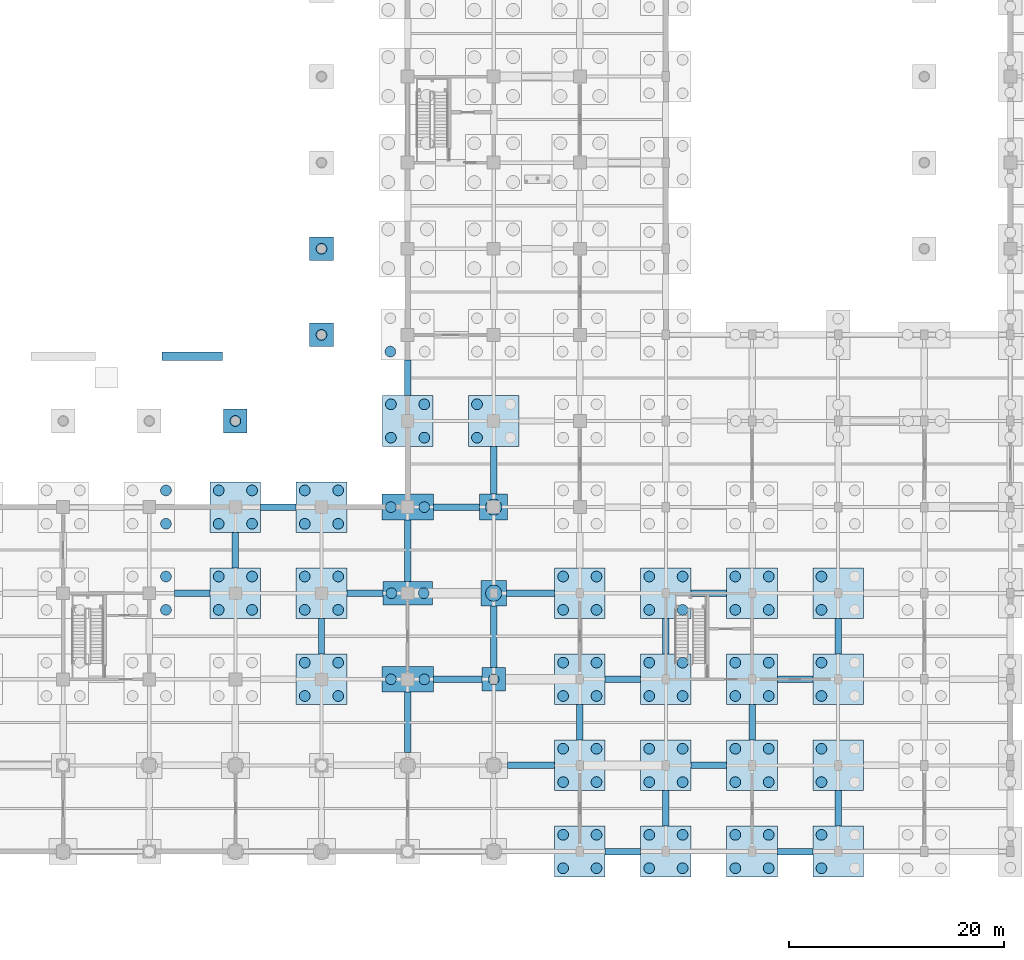
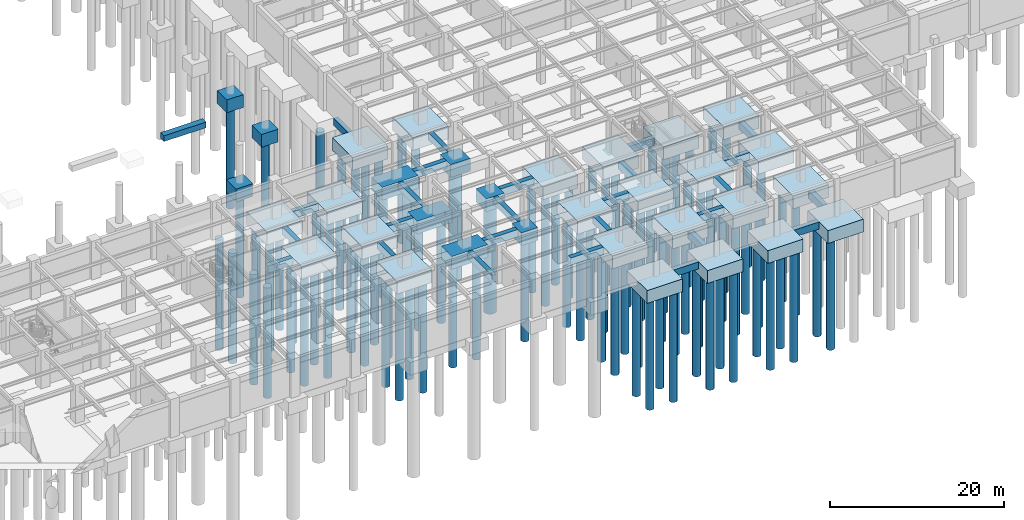
# One storey, part 8 of 97: 99 piles, 59 footings.
"""IFC4 building model written with IfcOpenShell, lengths in metres."""

from ifc_helpers import new_model, si_unit, direction, frame, origin, origin_2d, place, context, subcontext, project, spatial, rectangle, circle, extrude, material, layer, layer_set, material_profile, profile_set, type_object, element, save


model = new_model("IFC4")

# Units and contexts
model_context = context("Model", 3, precision=1e-05, world=origin(), true_north=direction((0.0, 1.0)))
body_context = subcontext(model_context, "Body", "Model", "MODEL_VIEW")
ifc_project = project(units=[si_unit("LENGTHUNIT", "METRE"), si_unit("AREAUNIT", "SQUARE_METRE"), si_unit("VOLUMEUNIT", "CUBIC_METRE"), si_unit("PLANEANGLEUNIT", "RADIAN"), si_unit("MASSUNIT", "GRAM", prefix="KILO")], contexts=[model_context])

# Site, building, storey
site_placement = place(None, origin())
site = spatial("IfcSite", under=ifc_project, at=site_placement, CompositionType="ELEMENT")
building_placement = place(site_placement, origin())
building = spatial("IfcBuilding", under=site, at=building_placement, Name="Haebicheon Civic Stadium", CompositionType="ELEMENT")
storey_placement = place(building_placement, frame((0.0, 0.0, -5.39990234375)))
storey = spatial("IfcBuildingStorey", under=building, at=storey_placement, Name="B1", CompositionType="ELEMENT", Elevation=-5.39990234375)

# Footings
ifc_material_1 = material(Name="Concrete C40/50", Category="concrete")
ifc_layer_1 = layer(ifc_material_1, 1.0, Name="Concrete C40/50")
ifc_layer_set_1 = layer_set([ifc_layer_1], Name="Concrete C40/50")
footing_type_1 = type_object("IfcFootingType", Name="FB-3300x600", PredefinedType="FOOTING_BEAM", material=ifc_layer_set_1)
for number, where, z_axis, x_axis, name in (
    (1, (124.0, 24.0, -1.0), (0.0, 0.0, 1.0), (1.0, 0.0, 0.0), "Ground tie beam X 15-03"),
    (2, (128.0, 28.0, -1.0), (0.0, 0.0, 1.0), (0.0, 1.0, 0.0), "Ground tie beam Y 16-03"),
    (3, (132.0, 32.0, -1.0), (0.0, 0.0, 1.0), (1.0, 0.0, 0.0), "Ground tie beam X 16-04"),
    (4, (136.0, 20.0, -1.0), (0.0, 0.0, 1.0), (0.0, 1.0, 0.0), "Ground tie beam Y 17-02"),
    (5, (144.0, 44.0, -1.0), (0.0, 0.0, 1.0), (0.0, 1.0, 0.0), "Ground tie beam Y 18-05"),
    (6, (164.0, 0.0, -1.0), (0.0, 0.0, 1.0), (1.0, 0.0, 0.0), "Ground tie beam X 20-00"),
    (7, (160.0, 12.0, -1.0), (0.0, 0.0, 1.0), (0.0, 1.0, 0.0), "Ground tie beam Y 20-01"),
    (8, (164.0, 16.0, -1.0), (0.0, 0.0, 1.0), (1.0, 0.0, 0.0), "Ground tie beam X 20-02"),
    (9, (168.0, 4.0, -1.0), (0.0, 0.0, 1.0), (0.0, 1.0, 0.0), "Ground tie beam Y 21-00"),
    (10, (172.0, 8.0, -1.0), (0.0, 0.0, 1.0), (1.0, 0.0, 0.0), "Ground tie beam X 21-01"),
    (11, (168.0, 20.0, -1.0), (0.0, 0.0, 1.0), (0.0, 1.0, 0.0), "Ground tie beam Y 21-02"),
    (12, (172.0, 24.0, -1.0), (0.0, 0.0, 1.0), (1.0, 0.0, 0.0), "Ground tie beam X 21-03"),
    (13, (180.0, 0.0, -1.0), (0.0, 0.0, 1.0), (1.0, 0.0, 0.0), "Ground tie beam X 22-00"),
    (14, (176.0, 12.0, -1.0), (0.0, 0.0, 1.0), (0.0, 1.0, 0.0), "Ground tie beam Y 22-01"),
    (15, (180.0, 16.0, -1.0), (0.0, 0.0, 1.0), (1.0, 0.0, 0.0), "Ground tie beam X 22-02"),
    (16, (184.0, 4.0, -1.0), (0.0, 0.0, 1.0), (0.0, 1.0, 0.0), "Ground tie beam Y 23-00"),
    (17, (184.0, 20.0, -1.0), (0.0, 0.0, 1.0), (0.0, 1.0, 0.0), "Ground tie beam Y 23-02"),
):
    element("IfcFooting", number, at=place(storey_placement, frame(where, z_axis=z_axis, x_axis=x_axis)), inside=storey, type_object=footing_type_1, material=ifc_layer_set_1, Name=name, PredefinedType="FOOTING_BEAM", context=body_context, shape_type="SweptSolid", body=[
        extrude(rectangle(XDim=3.300048828125, YDim=0.60009765625, at=origin_2d()), origin(), (0.0, 0.0, 1.0), 1.0),
    ])
ifc_material_2 = material(Name="Concrete C40/50", Category="concrete")
ifc_layer_2 = layer(ifc_material_2, 1.0, Name="Concrete C40/50")
ifc_layer_set_2 = layer_set([ifc_layer_2], Name="Concrete C40/50")
footing_type_2 = type_object("IfcFootingType", Name="FB-3350x600", PredefinedType="FOOTING_BEAM", material=ifc_layer_set_2)
footing_1_placement = place(storey_placement, frame((140.02490234375, 24.0, -1.0), z_axis=(0.0, 0.0, 1.0), x_axis=(1.0, 0.0, 0.0)))
element("IfcFooting", 18, at=footing_1_placement, inside=storey, type_object=footing_type_2, material=ifc_layer_set_2, Name="Ground tie beam X 17-03", PredefinedType="FOOTING_BEAM", context=body_context, shape_type="SweptSolid", body=[
    extrude(rectangle(XDim=3.35009765625, YDim=0.60009765625, at=origin_2d()), origin(), (0.0, 0.0, 1.0), 1.0),
])
ifc_material_3 = material(Name="Concrete C40/50", Category="concrete")
ifc_layer_3 = layer(ifc_material_3, 1.0, Name="Concrete C40/50")
ifc_layer_set_3 = layer_set([ifc_layer_3], Name="Concrete C40/50")
footing_type_3 = type_object("IfcFootingType", Name="FB-4300x600", PredefinedType="FOOTING_BEAM", material=ifc_layer_set_3)
footing_2_placement = place(storey_placement, frame((148.550048828125, 32.0, -1.0), z_axis=(0.0, 0.0, 1.0), x_axis=(1.0, 0.0, 0.0)))
element("IfcFooting", 19, at=footing_2_placement, inside=storey, type_object=footing_type_3, material=ifc_layer_set_3, Name="Ground tie beam X 18-04", PredefinedType="FOOTING_BEAM", context=body_context, shape_type="SweptSolid", body=[
    extrude(rectangle(XDim=4.300048828125, YDim=0.60009765625, at=origin_2d()), origin(), (0.0, 0.0, 1.0), 1.0),
])
ifc_material_4 = material(Name="Concrete C40/50", Category="concrete")
ifc_layer_4 = layer(ifc_material_4, 1.0, Name="Concrete C40/50")
ifc_layer_set_4 = layer_set([ifc_layer_4], Name="Concrete C40/50")
footing_type_4 = type_object("IfcFootingType", Name="FB-4350x600", PredefinedType="FOOTING_BEAM", material=ifc_layer_set_4)
footing_3_placement = place(storey_placement, frame((155.47509765625, 8.0, -1.0), z_axis=(0.0, 0.0, 1.0), x_axis=(1.0, 0.0, 0.0)))
element("IfcFooting", 20, at=footing_3_placement, inside=storey, type_object=footing_type_4, material=ifc_layer_set_4, Name="Ground tie beam X 19-01", PredefinedType="FOOTING_BEAM", context=body_context, shape_type="SweptSolid", body=[
    extrude(rectangle(XDim=4.35009765625, YDim=0.60009765625, at=origin_2d()), origin(), (0.0, 0.0, 1.0), 1.0),
])
ifc_material_5 = material(Name="Concrete C40/50", Category="concrete")
ifc_layer_5 = layer(ifc_material_5, 1.0, Name="Concrete C40/50")
ifc_layer_set_5 = layer_set([ifc_layer_5], Name="Concrete C40/50")
footing_type_5 = type_object("IfcFootingType", Name="FB-4450x600", PredefinedType="FOOTING_BEAM", material=ifc_layer_set_5)
for number, where, z_axis, x_axis, name in (
    (21, (155.425048828125, 24.0, -1.0), (0.0, 0.0, 1.0), (1.0, 0.0, 0.0), "Ground tie beam X 19-03"),
    (22, (152.0, 35.425048828125, -1.0), (0.0, 0.0, 1.0), (0.0, 1.0, 0.0), "Ground tie beam Y 19-04"),
):
    element("IfcFooting", number, at=place(storey_placement, frame(where, z_axis=z_axis, x_axis=x_axis)), inside=storey, type_object=footing_type_5, material=ifc_layer_set_5, Name=name, PredefinedType="FOOTING_BEAM", context=body_context, shape_type="SweptSolid", body=[
        extrude(rectangle(XDim=4.449951171875, YDim=0.60009765625, at=origin_2d()), origin(), (0.0, 0.0, 1.0), 1.0),
    ])
ifc_material_6 = material(Name="Concrete C40/50", Category="concrete")
ifc_layer_6 = layer(ifc_material_6, 1.0, Name="Concrete C40/50")
ifc_layer_set_6 = layer_set([ifc_layer_6], Name="Concrete C40/50")
footing_type_6 = type_object("IfcFootingType", Name="FB-4500x600", PredefinedType="FOOTING_BEAM", material=ifc_layer_set_6)
footing_4_placement = place(storey_placement, frame((148.64990234375, 16.0, -1.0), z_axis=(0.0, 0.0, 1.0), x_axis=(1.0, 0.0, 0.0)))
element("IfcFooting", 23, at=footing_4_placement, inside=storey, type_object=footing_type_6, material=ifc_layer_set_6, Name="Ground tie beam X 18-02", PredefinedType="FOOTING_BEAM", context=body_context, shape_type="SweptSolid", body=[
    extrude(rectangle(XDim=4.5, YDim=0.60009765625, at=origin_2d()), origin(), (0.0, 0.0, 1.0), 1.0),
])
ifc_material_7 = material(Name="Concrete C40/50", Category="concrete")
ifc_layer_7 = layer(ifc_material_7, 1.0, Name="Concrete C40/50")
ifc_layer_set_7 = layer_set([ifc_layer_7], Name="Concrete C40/50")
footing_type_7 = type_object("IfcFootingType", Name="FB-5600x600", PredefinedType="FOOTING_BEAM", material=ifc_layer_set_7)
footing_5_placement = place(storey_placement, frame((144.0, 12.0, -1.0), z_axis=(0.0, 0.0, 1.0), x_axis=(0.0, 1.0, 0.0)))
element("IfcFooting", 24, at=footing_5_placement, inside=storey, type_object=footing_type_7, material=ifc_layer_set_7, Name="Ground tie beam Y 18-01", PredefinedType="FOOTING_BEAM", context=body_context, shape_type="SweptSolid", body=[
    extrude(rectangle(XDim=5.60009765625, YDim=0.60009765625, at=origin_2d()), origin(), (0.0, 0.0, 1.0), 1.0),
])
ifc_material_8 = material(Name="Concrete C40/50", Category="concrete")
ifc_layer_8 = layer(ifc_material_8, 1.0, Name="Concrete C40/50")
ifc_layer_set_8 = layer_set([ifc_layer_8], Name="Concrete C40/50")
footing_type_8 = type_object("IfcFootingType", Name="FB-5700x600", PredefinedType="FOOTING_BEAM", material=ifc_layer_set_8)
for number, where, z_axis, x_axis, name in (
    (25, (144.0, 27.949951171875, -1.0), (0.0, 0.0, 1.0), (0.0, 1.0, 0.0), "Ground tie beam Y 18-03"),
    (26, (152.0, 19.949951171875, -1.0), (0.0, 0.0, 1.0), (0.0, 1.0, 0.0), "Ground tie beam Y 19-02"),
):
    element("IfcFooting", number, at=place(storey_placement, frame(where, z_axis=z_axis, x_axis=x_axis)), inside=storey, type_object=footing_type_8, material=ifc_layer_set_8, Name=name, PredefinedType="FOOTING_BEAM", context=body_context, shape_type="SweptSolid", body=[
        extrude(rectangle(XDim=5.699951171875, YDim=0.60009765625, at=origin_2d()), origin(), (0.0, 0.0, 1.0), 1.0),
    ])
ifc_material_9 = material(Name="Concrete C40/50", Category="concrete")
ifc_layer_9 = layer(ifc_material_9, 1.800048828125, Name="Concrete C40/50")
ifc_layer_set_9 = layer_set([ifc_layer_9], Name="Concrete C40/50")
footing_type_9 = type_object("IfcFootingType", Name="PC-1P-2200", PredefinedType="PILE_CAP", material=ifc_layer_set_9)
for number, where, z_axis, x_axis, name in (
    (27, (152.0, 16.0, -1.80029296875), (0.0, 0.0, 1.0), (1.0, 0.0, 0.0), "Pile cap FT-PC-19-02"),
    (28, (136.0, 48.0, -1.80029296875), (0.0, 0.0, 1.0), (1.0, 0.0, 0.0), "Bowl pier pile cap FT-BPC-013"),
    (29, (136.0, 56.0, -1.80029296875), (0.0, 0.0, 1.0), (1.0, 0.0, 0.0), "Bowl pier pile cap FT-BPC-014"),
    (30, (128.0, 40.0, -1.80029296875), (0.0, 0.0, 1.0), (1.0, 0.0, 0.0), "Bowl pier pile cap FT-BPC-038"),
):
    element("IfcFooting", number, at=place(storey_placement, frame(where, z_axis=z_axis, x_axis=x_axis)), inside=storey, type_object=footing_type_9, material=ifc_layer_set_9, Name=name, PredefinedType="PILE_CAP", context=body_context, shape_type="SweptSolid", body=[
        extrude(rectangle(XDim=2.199951171875, YDim=2.199951171875, at=origin_2d()), origin(), (0.0, 0.0, 1.0), 1.800048828125),
    ])
ifc_material_10 = material(Name="Concrete C40/50", Category="concrete")
ifc_layer_10 = layer(ifc_material_10, 1.800048828125, Name="Concrete C40/50")
ifc_layer_set_10 = layer_set([ifc_layer_10], Name="Concrete C40/50")
footing_type_10 = type_object("IfcFootingType", Name="PC-1P-2400", PredefinedType="PILE_CAP", material=ifc_layer_set_10)
footing_6_placement = place(storey_placement, frame((152.0, 24.0, -1.80029296875), z_axis=(0.0, 0.0, 1.0), x_axis=(1.0, 0.0, 0.0)))
element("IfcFooting", 31, at=footing_6_placement, inside=storey, type_object=footing_type_10, material=ifc_layer_set_10, Name="Pile cap FT-PC-19-03", PredefinedType="PILE_CAP", context=body_context, shape_type="SweptSolid", body=[
    extrude(rectangle(XDim=2.39990234375, YDim=2.39990234375, at=origin_2d()), origin(), (0.0, 0.0, 1.0), 1.800048828125),
])
ifc_material_11 = material(Name="Concrete C40/50", Category="concrete")
ifc_layer_11 = layer(ifc_material_11, 1.800048828125, Name="Concrete C40/50")
ifc_layer_set_11 = layer_set([ifc_layer_11], Name="Concrete C40/50")
footing_type_11 = type_object("IfcFootingType", Name="PC-1P-2600", PredefinedType="PILE_CAP", material=ifc_layer_set_11)
footing_7_placement = place(storey_placement, frame((152.0, 32.0, -1.80029296875), z_axis=(0.0, 0.0, 1.0), x_axis=(1.0, 0.0, 0.0)))
element("IfcFooting", 32, at=footing_7_placement, inside=storey, type_object=footing_type_11, material=ifc_layer_set_11, Name="Pile cap FT-PC-19-04", PredefinedType="PILE_CAP", context=body_context, shape_type="SweptSolid", body=[
    extrude(rectangle(XDim=2.60009765625, YDim=2.39990234375, at=origin_2d()), origin(), (0.0, 0.0, 1.0), 1.800048828125),
])
ifc_material_12 = material(Name="Concrete C40/50", Category="concrete")
ifc_layer_12 = layer(ifc_material_12, 1.800048828125, Name="Concrete C40/50")
ifc_layer_set_12 = layer_set([ifc_layer_12], Name="Concrete C40/50")
footing_type_12 = type_object("IfcFootingType", Name="PC-2P-4600", PredefinedType="PILE_CAP", material=ifc_layer_set_12)
footing_8_placement = place(storey_placement, frame((144.0, 24.0, -1.80029296875), z_axis=(0.0, 0.0, 1.0), x_axis=(1.0, 0.0, 0.0)))
element("IfcFooting", 33, at=footing_8_placement, inside=storey, type_object=footing_type_12, material=ifc_layer_set_12, Name="Pile cap FT-PC-18-03", PredefinedType="PILE_CAP", context=body_context, shape_type="SweptSolid", body=[
    extrude(rectangle(XDim=4.60009765625, YDim=2.199951171875, at=origin_2d()), origin(), (0.0, 0.0, 1.0), 1.800048828125),
])
ifc_material_13 = material(Name="Concrete C40/50", Category="concrete")
ifc_layer_13 = layer(ifc_material_13, 1.800048828125, Name="Concrete C40/50")
ifc_layer_set_13 = layer_set([ifc_layer_13], Name="Concrete C40/50")
footing_type_13 = type_object("IfcFootingType", Name="PC-2P-4800", PredefinedType="PILE_CAP", material=ifc_layer_set_13)
for number, where, z_axis, x_axis, name in (
    (34, (144.0, 16.0, -1.80029296875), (0.0, 0.0, 1.0), (1.0, 0.0, 0.0), "Pile cap FT-PC-18-02"),
    (35, (144.0, 32.0, -1.80029296875), (0.0, 0.0, 1.0), (1.0, 0.0, 0.0), "Pile cap FT-PC-18-04"),
):
    element("IfcFooting", number, at=place(storey_placement, frame(where, z_axis=z_axis, x_axis=x_axis)), inside=storey, type_object=footing_type_13, material=ifc_layer_set_13, Name=name, PredefinedType="PILE_CAP", context=body_context, shape_type="SweptSolid", body=[
        extrude(rectangle(XDim=4.800048828125, YDim=2.39990234375, at=origin_2d()), origin(), (0.0, 0.0, 1.0), 1.800048828125),
    ])
ifc_material_14 = material(Name="Concrete C40/50", Category="concrete")
ifc_layer_14 = layer(ifc_material_14, 1.800048828125, Name="Concrete C40/50")
ifc_layer_set_14 = layer_set([ifc_layer_14], Name="Concrete C40/50")
footing_type_14 = type_object("IfcFootingType", Name="PC-4P-4700", PredefinedType="PILE_CAP", material=ifc_layer_set_14)
for number, where, z_axis, x_axis, name in (
    (36, (128.0, 24.0, -1.80029296875), (0.0, 0.0, 1.0), (1.0, 0.0, 0.0), "Pile cap FT-PC-16-03"),
    (37, (128.0, 32.0, -1.80029296875), (0.0, 0.0, 1.0), (1.0, 0.0, 0.0), "Pile cap FT-PC-16-04"),
    (38, (136.0, 16.0, -1.80029296875), (0.0, 0.0, 1.0), (1.0, 0.0, 0.0), "Pile cap FT-PC-17-02"),
    (39, (136.0, 24.0, -1.80029296875), (0.0, 0.0, 1.0), (1.0, 0.0, 0.0), "Pile cap FT-PC-17-03"),
    (40, (136.0, 32.0, -1.80029296875), (0.0, 0.0, 1.0), (1.0, 0.0, 0.0), "Pile cap FT-PC-17-04"),
    (41, (144.0, 40.0, -1.80029296875), (0.0, 0.0, 1.0), (1.0, 0.0, 0.0), "Pile cap FT-PC-18-05"),
    (42, (152.0, 40.0, -1.80029296875), (0.0, 0.0, 1.0), (1.0, 0.0, 0.0), "Pile cap FT-PC-19-05"),
    (43, (160.0, 0.0, -1.80029296875), (0.0, 0.0, 1.0), (1.0, 0.0, 0.0), "Pile cap FT-PC-20-00"),
    (44, (160.0, 8.0, -1.80029296875), (0.0, 0.0, 1.0), (1.0, 0.0, 0.0), "Pile cap FT-PC-20-01"),
    (45, (160.0, 16.0, -1.80029296875), (0.0, 0.0, 1.0), (1.0, 0.0, 0.0), "Pile cap FT-PC-20-02"),
    (46, (160.0, 24.0, -1.80029296875), (0.0, 0.0, 1.0), (1.0, 0.0, 0.0), "Pile cap FT-PC-20-03"),
    (47, (168.0, 0.0, -1.80029296875), (0.0, 0.0, 1.0), (1.0, 0.0, 0.0), "Pile cap FT-PC-21-00"),
    (48, (168.0, 8.0, -1.80029296875), (0.0, 0.0, 1.0), (1.0, 0.0, 0.0), "Pile cap FT-PC-21-01"),
    (49, (168.0, 16.0, -1.80029296875), (0.0, 0.0, 1.0), (1.0, 0.0, 0.0), "Pile cap FT-PC-21-02"),
    (50, (168.0, 24.0, -1.80029296875), (0.0, 0.0, 1.0), (1.0, 0.0, 0.0), "Pile cap FT-PC-21-03"),
    (51, (176.0, 0.0, -1.80029296875), (0.0, 0.0, 1.0), (1.0, 0.0, 0.0), "Pile cap FT-PC-22-00"),
    (52, (176.0, 8.0, -1.80029296875), (0.0, 0.0, 1.0), (1.0, 0.0, 0.0), "Pile cap FT-PC-22-01"),
    (53, (176.0, 16.0, -1.80029296875), (0.0, 0.0, 1.0), (1.0, 0.0, 0.0), "Pile cap FT-PC-22-02"),
    (54, (176.0, 24.0, -1.80029296875), (0.0, 0.0, 1.0), (1.0, 0.0, 0.0), "Pile cap FT-PC-22-03"),
    (55, (184.0, 0.0, -1.80029296875), (0.0, 0.0, 1.0), (1.0, 0.0, 0.0), "Pile cap FT-PC-23-00"),
    (56, (184.0, 8.0, -1.80029296875), (0.0, 0.0, 1.0), (1.0, 0.0, 0.0), "Pile cap FT-PC-23-01"),
    (57, (184.0, 16.0, -1.80029296875), (0.0, 0.0, 1.0), (1.0, 0.0, 0.0), "Pile cap FT-PC-23-02"),
    (58, (184.0, 24.0, -1.80029296875), (0.0, 0.0, 1.0), (1.0, 0.0, 0.0), "Pile cap FT-PC-23-03"),
):
    element("IfcFooting", number, at=place(storey_placement, frame(where, z_axis=z_axis, x_axis=x_axis)), inside=storey, type_object=footing_type_14, material=ifc_layer_set_14, Name=name, PredefinedType="PILE_CAP", context=body_context, shape_type="SweptSolid", body=[
        extrude(rectangle(XDim=4.699951171875, YDim=4.699951171875, at=origin_2d()), origin(), (0.0, 0.0, 1.0), 1.800048828125),
    ])

# Piles
ifc_material_15 = material(Name="Concrete C40/50", Category="concrete")
ifc_material_profile_1 = material_profile(ifc_material_15, circle(Radius=0.5, at=origin_2d()), Name="PILE-D1000")
ifc_profile_set_1 = profile_set([ifc_material_profile_1], Name="Concrete C40/50")
pile_type_1 = type_object("IfcPileType", Name="PL-D1000", PredefinedType="BORED", material=ifc_profile_set_1)
for number, where, z_axis, x_axis, name in (
    (59, (121.550048828125, 22.449951171875, -1.7001953125), (0.0, 0.0, -1.0), (1.0, 0.0, 0.0), "Bored pile 15-03-2"),
    (60, (121.550048828125, 25.550048828125, -1.7001953125), (0.0, 0.0, -1.0), (1.0, 0.0, 0.0), "Bored pile 15-03-4"),
    (61, (121.550048828125, 30.449951171875, -1.7001953125), (0.0, 0.0, -1.0), (1.0, 0.0, 0.0), "Bored pile 15-04-2"),
    (62, (121.550048828125, 33.550048828125, -1.7001953125), (0.0, 0.0, -1.0), (1.0, 0.0, 0.0), "Bored pile 15-04-4"),
    (63, (126.449951171875, 22.449951171875, -1.7001953125), (0.0, 0.0, -1.0), (1.0, 0.0, 0.0), "Bored pile 16-03-1"),
    (64, (129.550048828125, 22.449951171875, -1.7001953125), (0.0, 0.0, -1.0), (1.0, 0.0, 0.0), "Bored pile 16-03-2"),
    (65, (126.449951171875, 25.550048828125, -1.7001953125), (0.0, 0.0, -1.0), (1.0, 0.0, 0.0), "Bored pile 16-03-3"),
    (66, (129.550048828125, 25.550048828125, -1.7001953125), (0.0, 0.0, -1.0), (1.0, 0.0, 0.0), "Bored pile 16-03-4"),
    (67, (126.449951171875, 30.449951171875, -1.7001953125), (0.0, 0.0, -1.0), (1.0, 0.0, 0.0), "Bored pile 16-04-1"),
    (68, (129.550048828125, 30.449951171875, -1.7001953125), (0.0, 0.0, -1.0), (1.0, 0.0, 0.0), "Bored pile 16-04-2"),
    (69, (126.449951171875, 33.550048828125, -1.7001953125), (0.0, 0.0, -1.0), (1.0, 0.0, 0.0), "Bored pile 16-04-3"),
    (70, (129.550048828125, 33.550048828125, -1.7001953125), (0.0, 0.0, -1.0), (1.0, 0.0, 0.0), "Bored pile 16-04-4"),
    (71, (134.449951171875, 14.449951171875, -1.7001953125), (0.0, 0.0, -1.0), (1.0, 0.0, 0.0), "Bored pile 17-02-1"),
    (72, (137.550048828125, 14.449951171875, -1.7001953125), (0.0, 0.0, -1.0), (1.0, 0.0, 0.0), "Bored pile 17-02-2"),
    (73, (134.449951171875, 17.550048828125, -1.7001953125), (0.0, 0.0, -1.0), (1.0, 0.0, 0.0), "Bored pile 17-02-3"),
    (74, (137.550048828125, 17.550048828125, -1.7001953125), (0.0, 0.0, -1.0), (1.0, 0.0, 0.0), "Bored pile 17-02-4"),
    (75, (134.449951171875, 22.449951171875, -1.7001953125), (0.0, 0.0, -1.0), (1.0, 0.0, 0.0), "Bored pile 17-03-1"),
    (76, (137.550048828125, 22.449951171875, -1.7001953125), (0.0, 0.0, -1.0), (1.0, 0.0, 0.0), "Bored pile 17-03-2"),
    (77, (134.449951171875, 25.550048828125, -1.7001953125), (0.0, 0.0, -1.0), (1.0, 0.0, 0.0), "Bored pile 17-03-3"),
    (78, (137.550048828125, 25.550048828125, -1.7001953125), (0.0, 0.0, -1.0), (1.0, 0.0, 0.0), "Bored pile 17-03-4"),
    (79, (134.449951171875, 30.449951171875, -1.7001953125), (0.0, 0.0, -1.0), (1.0, 0.0, 0.0), "Bored pile 17-04-1"),
    (80, (137.550048828125, 30.449951171875, -1.7001953125), (0.0, 0.0, -1.0), (1.0, 0.0, 0.0), "Bored pile 17-04-2"),
    (81, (134.449951171875, 33.550048828125, -1.7001953125), (0.0, 0.0, -1.0), (1.0, 0.0, 0.0), "Bored pile 17-04-3"),
    (82, (137.550048828125, 33.550048828125, -1.7001953125), (0.0, 0.0, -1.0), (1.0, 0.0, 0.0), "Bored pile 17-04-4"),
):
    element("IfcPile", number, at=place(storey_placement, frame(where, z_axis=z_axis, x_axis=x_axis)), inside=storey, type_object=pile_type_1, material=ifc_profile_set_1, Name=name, PredefinedType="BORED", context=body_context, shape_type="SweptSolid", body=[
        extrude(circle(Radius=0.5, at=origin_2d()), origin(), (0.0, 0.0, 1.0), 15.5),
    ])
for number, where, z_axis, x_axis, name in (
    (83, (142.449951171875, 16.0, -1.7001953125), (0.0, 0.0, -1.0), (1.0, 0.0, 0.0), "Bored pile 18-02-1"),
    (84, (145.550048828125, 16.0, -1.7001953125), (0.0, 0.0, -1.0), (1.0, 0.0, 0.0), "Bored pile 18-02-2"),
):
    element("IfcPile", number, at=place(storey_placement, frame(where, z_axis=z_axis, x_axis=x_axis)), inside=storey, type_object=pile_type_1, material=ifc_profile_set_1, Name=name, PredefinedType="BORED", context=body_context, shape_type="SweptSolid", body=[
        extrude(circle(Radius=0.5, at=origin_2d()), origin(), (0.0, 0.0, 1.0), 14.60009765625),
    ])
for number, where, z_axis, x_axis, name in (
    (85, (142.5, 24.0, -1.7001953125), (0.0, 0.0, -1.0), (1.0, 0.0, 0.0), "Bored pile 18-03-1"),
    (86, (145.5, 24.0, -1.7001953125), (0.0, 0.0, -1.0), (1.0, 0.0, 0.0), "Bored pile 18-03-2"),
):
    element("IfcPile", number, at=place(storey_placement, frame(where, z_axis=z_axis, x_axis=x_axis)), inside=storey, type_object=pile_type_1, material=ifc_profile_set_1, Name=name, PredefinedType="BORED", context=body_context, shape_type="SweptSolid", body=[
        extrude(circle(Radius=0.5, at=origin_2d()), origin(), (0.0, 0.0, 1.0), 14.300048828125),
    ])
for number, where, z_axis, x_axis, name in (
    (87, (142.449951171875, 32.0, -1.7001953125), (0.0, 0.0, -1.0), (1.0, 0.0, 0.0), "Bored pile 18-04-1"),
    (88, (145.550048828125, 32.0, -1.7001953125), (0.0, 0.0, -1.0), (1.0, 0.0, 0.0), "Bored pile 18-04-2"),
):
    element("IfcPile", number, at=place(storey_placement, frame(where, z_axis=z_axis, x_axis=x_axis)), inside=storey, type_object=pile_type_1, material=ifc_profile_set_1, Name=name, PredefinedType="BORED", context=body_context, shape_type="SweptSolid", body=[
        extrude(circle(Radius=0.5, at=origin_2d()), origin(), (0.0, 0.0, 1.0), 14.60009765625),
    ])
for number, where, z_axis, x_axis, name in (
    (89, (142.449951171875, 38.449951171875, -1.7001953125), (0.0, 0.0, -1.0), (1.0, 0.0, 0.0), "Bored pile 18-05-1"),
    (90, (145.550048828125, 38.449951171875, -1.7001953125), (0.0, 0.0, -1.0), (1.0, 0.0, 0.0), "Bored pile 18-05-2"),
    (91, (142.449951171875, 41.550048828125, -1.7001953125), (0.0, 0.0, -1.0), (1.0, 0.0, 0.0), "Bored pile 18-05-3"),
    (92, (145.550048828125, 41.550048828125, -1.7001953125), (0.0, 0.0, -1.0), (1.0, 0.0, 0.0), "Bored pile 18-05-4"),
):
    element("IfcPile", number, at=place(storey_placement, frame(where, z_axis=z_axis, x_axis=x_axis)), inside=storey, type_object=pile_type_1, material=ifc_profile_set_1, Name=name, PredefinedType="BORED", context=body_context, shape_type="SweptSolid", body=[
        extrude(circle(Radius=0.5, at=origin_2d()), origin(), (0.0, 0.0, 1.0), 15.5),
    ])
pile_1_placement = place(storey_placement, frame((142.39990234375, 46.449951171875, -1.7001953125), z_axis=(0.0, 0.0, -1.0), x_axis=(1.0, 0.0, 0.0)))
element("IfcPile", 93, at=pile_1_placement, inside=storey, type_object=pile_type_1, material=ifc_profile_set_1, Name="Bored pile 18-06-1", PredefinedType="BORED", context=body_context, shape_type="SweptSolid", body=[
    extrude(circle(Radius=0.5, at=origin_2d()), origin(), (0.0, 0.0, 1.0), 15.800048828125),
])
pile_2_placement = place(storey_placement, frame((152.0, 16.0, -1.7001953125), z_axis=(0.0, 0.0, -1.0), x_axis=(1.0, 0.0, 0.0)))
element("IfcPile", 94, at=pile_2_placement, inside=storey, type_object=pile_type_1, material=ifc_profile_set_1, Name="Bored pile 19-02-1", PredefinedType="BORED", context=body_context, shape_type="SweptSolid", body=[
    extrude(circle(Radius=0.5, at=origin_2d()), origin(), (0.0, 0.0, 1.0), 14.300048828125),
])
for number, where, z_axis, x_axis, name in (
    (95, (150.449951171875, 38.449951171875, -1.7001953125), (0.0, 0.0, -1.0), (1.0, 0.0, 0.0), "Bored pile 19-05-1"),
    (96, (150.449951171875, 41.550048828125, -1.7001953125), (0.0, 0.0, -1.0), (1.0, 0.0, 0.0), "Bored pile 19-05-3"),
    (97, (158.449951171875, -1.550048828125, -1.7001953125), (0.0, 0.0, -1.0), (1.0, 0.0, 0.0), "Bored pile 20-00-1"),
    (98, (161.550048828125, -1.550048828125, -1.7001953125), (0.0, 0.0, -1.0), (1.0, 0.0, 0.0), "Bored pile 20-00-2"),
    (99, (158.449951171875, 1.550048828125, -1.7001953125), (0.0, 0.0, -1.0), (1.0, 0.0, 0.0), "Bored pile 20-00-3"),
    (100, (161.550048828125, 1.550048828125, -1.7001953125), (0.0, 0.0, -1.0), (1.0, 0.0, 0.0), "Bored pile 20-00-4"),
    (101, (158.449951171875, 6.449951171875, -1.7001953125), (0.0, 0.0, -1.0), (1.0, 0.0, 0.0), "Bored pile 20-01-1"),
    (102, (161.550048828125, 6.449951171875, -1.7001953125), (0.0, 0.0, -1.0), (1.0, 0.0, 0.0), "Bored pile 20-01-2"),
    (103, (158.449951171875, 9.550048828125, -1.7001953125), (0.0, 0.0, -1.0), (1.0, 0.0, 0.0), "Bored pile 20-01-3"),
    (104, (161.550048828125, 9.550048828125, -1.7001953125), (0.0, 0.0, -1.0), (1.0, 0.0, 0.0), "Bored pile 20-01-4"),
    (105, (158.449951171875, 14.449951171875, -1.7001953125), (0.0, 0.0, -1.0), (1.0, 0.0, 0.0), "Bored pile 20-02-1"),
    (106, (161.550048828125, 14.449951171875, -1.7001953125), (0.0, 0.0, -1.0), (1.0, 0.0, 0.0), "Bored pile 20-02-2"),
    (107, (158.449951171875, 17.550048828125, -1.7001953125), (0.0, 0.0, -1.0), (1.0, 0.0, 0.0), "Bored pile 20-02-3"),
    (108, (161.550048828125, 17.550048828125, -1.7001953125), (0.0, 0.0, -1.0), (1.0, 0.0, 0.0), "Bored pile 20-02-4"),
    (109, (158.449951171875, 22.449951171875, -1.7001953125), (0.0, 0.0, -1.0), (1.0, 0.0, 0.0), "Bored pile 20-03-1"),
    (110, (161.550048828125, 22.449951171875, -1.7001953125), (0.0, 0.0, -1.0), (1.0, 0.0, 0.0), "Bored pile 20-03-2"),
    (111, (158.449951171875, 25.550048828125, -1.7001953125), (0.0, 0.0, -1.0), (1.0, 0.0, 0.0), "Bored pile 20-03-3"),
    (112, (161.550048828125, 25.550048828125, -1.7001953125), (0.0, 0.0, -1.0), (1.0, 0.0, 0.0), "Bored pile 20-03-4"),
    (113, (166.449951171875, -1.550048828125, -1.7001953125), (0.0, 0.0, -1.0), (1.0, 0.0, 0.0), "Bored pile 21-00-1"),
    (114, (169.550048828125, -1.550048828125, -1.7001953125), (0.0, 0.0, -1.0), (1.0, 0.0, 0.0), "Bored pile 21-00-2"),
    (115, (166.449951171875, 1.550048828125, -1.7001953125), (0.0, 0.0, -1.0), (1.0, 0.0, 0.0), "Bored pile 21-00-3"),
    (116, (169.550048828125, 1.550048828125, -1.7001953125), (0.0, 0.0, -1.0), (1.0, 0.0, 0.0), "Bored pile 21-00-4"),
    (117, (166.449951171875, 6.449951171875, -1.7001953125), (0.0, 0.0, -1.0), (1.0, 0.0, 0.0), "Bored pile 21-01-1"),
    (118, (169.550048828125, 6.449951171875, -1.7001953125), (0.0, 0.0, -1.0), (1.0, 0.0, 0.0), "Bored pile 21-01-2"),
    (119, (166.449951171875, 9.550048828125, -1.7001953125), (0.0, 0.0, -1.0), (1.0, 0.0, 0.0), "Bored pile 21-01-3"),
    (120, (169.550048828125, 9.550048828125, -1.7001953125), (0.0, 0.0, -1.0), (1.0, 0.0, 0.0), "Bored pile 21-01-4"),
    (121, (166.449951171875, 14.449951171875, -1.7001953125), (0.0, 0.0, -1.0), (1.0, 0.0, 0.0), "Bored pile 21-02-1"),
    (122, (169.550048828125, 14.449951171875, -1.7001953125), (0.0, 0.0, -1.0), (1.0, 0.0, 0.0), "Bored pile 21-02-2"),
    (123, (166.449951171875, 17.550048828125, -1.7001953125), (0.0, 0.0, -1.0), (1.0, 0.0, 0.0), "Bored pile 21-02-3"),
    (124, (169.550048828125, 17.550048828125, -1.7001953125), (0.0, 0.0, -1.0), (1.0, 0.0, 0.0), "Bored pile 21-02-4"),
    (125, (166.449951171875, 22.449951171875, -1.7001953125), (0.0, 0.0, -1.0), (1.0, 0.0, 0.0), "Bored pile 21-03-1"),
    (126, (169.550048828125, 22.449951171875, -1.7001953125), (0.0, 0.0, -1.0), (1.0, 0.0, 0.0), "Bored pile 21-03-2"),
    (127, (166.449951171875, 25.550048828125, -1.7001953125), (0.0, 0.0, -1.0), (1.0, 0.0, 0.0), "Bored pile 21-03-3"),
    (128, (169.550048828125, 25.550048828125, -1.7001953125), (0.0, 0.0, -1.0), (1.0, 0.0, 0.0), "Bored pile 21-03-4"),
    (129, (174.449951171875, -1.550048828125, -1.7001953125), (0.0, 0.0, -1.0), (1.0, 0.0, 0.0), "Bored pile 22-00-1"),
    (130, (177.550048828125, -1.550048828125, -1.7001953125), (0.0, 0.0, -1.0), (1.0, 0.0, 0.0), "Bored pile 22-00-2"),
    (131, (174.449951171875, 1.550048828125, -1.7001953125), (0.0, 0.0, -1.0), (1.0, 0.0, 0.0), "Bored pile 22-00-3"),
    (132, (177.550048828125, 1.550048828125, -1.7001953125), (0.0, 0.0, -1.0), (1.0, 0.0, 0.0), "Bored pile 22-00-4"),
    (133, (174.449951171875, 6.449951171875, -1.7001953125), (0.0, 0.0, -1.0), (1.0, 0.0, 0.0), "Bored pile 22-01-1"),
    (134, (177.550048828125, 6.449951171875, -1.7001953125), (0.0, 0.0, -1.0), (1.0, 0.0, 0.0), "Bored pile 22-01-2"),
    (135, (174.449951171875, 9.550048828125, -1.7001953125), (0.0, 0.0, -1.0), (1.0, 0.0, 0.0), "Bored pile 22-01-3"),
    (136, (177.550048828125, 9.550048828125, -1.7001953125), (0.0, 0.0, -1.0), (1.0, 0.0, 0.0), "Bored pile 22-01-4"),
    (137, (174.449951171875, 14.449951171875, -1.7001953125), (0.0, 0.0, -1.0), (1.0, 0.0, 0.0), "Bored pile 22-02-1"),
    (138, (177.550048828125, 14.449951171875, -1.7001953125), (0.0, 0.0, -1.0), (1.0, 0.0, 0.0), "Bored pile 22-02-2"),
    (139, (174.449951171875, 17.550048828125, -1.7001953125), (0.0, 0.0, -1.0), (1.0, 0.0, 0.0), "Bored pile 22-02-3"),
    (140, (177.550048828125, 17.550048828125, -1.7001953125), (0.0, 0.0, -1.0), (1.0, 0.0, 0.0), "Bored pile 22-02-4"),
    (141, (174.449951171875, 22.449951171875, -1.7001953125), (0.0, 0.0, -1.0), (1.0, 0.0, 0.0), "Bored pile 22-03-1"),
    (142, (177.550048828125, 22.449951171875, -1.7001953125), (0.0, 0.0, -1.0), (1.0, 0.0, 0.0), "Bored pile 22-03-2"),
    (143, (174.449951171875, 25.550048828125, -1.7001953125), (0.0, 0.0, -1.0), (1.0, 0.0, 0.0), "Bored pile 22-03-3"),
    (144, (177.550048828125, 25.550048828125, -1.7001953125), (0.0, 0.0, -1.0), (1.0, 0.0, 0.0), "Bored pile 22-03-4"),
    (145, (182.449951171875, -1.550048828125, -1.7001953125), (0.0, 0.0, -1.0), (1.0, 0.0, 0.0), "Bored pile 23-00-1"),
    (146, (182.449951171875, 1.550048828125, -1.7001953125), (0.0, 0.0, -1.0), (1.0, 0.0, 0.0), "Bored pile 23-00-3"),
    (147, (182.449951171875, 6.449951171875, -1.7001953125), (0.0, 0.0, -1.0), (1.0, 0.0, 0.0), "Bored pile 23-01-1"),
    (148, (182.449951171875, 9.550048828125, -1.7001953125), (0.0, 0.0, -1.0), (1.0, 0.0, 0.0), "Bored pile 23-01-3"),
    (149, (182.449951171875, 14.449951171875, -1.7001953125), (0.0, 0.0, -1.0), (1.0, 0.0, 0.0), "Bored pile 23-02-1"),
    (150, (182.449951171875, 17.550048828125, -1.7001953125), (0.0, 0.0, -1.0), (1.0, 0.0, 0.0), "Bored pile 23-02-3"),
    (151, (182.449951171875, 22.449951171875, -1.7001953125), (0.0, 0.0, -1.0), (1.0, 0.0, 0.0), "Bored pile 23-03-1"),
    (152, (182.449951171875, 25.550048828125, -1.7001953125), (0.0, 0.0, -1.0), (1.0, 0.0, 0.0), "Bored pile 23-03-3"),
):
    element("IfcPile", number, at=place(storey_placement, frame(where, z_axis=z_axis, x_axis=x_axis)), inside=storey, type_object=pile_type_1, material=ifc_profile_set_1, Name=name, PredefinedType="BORED", context=body_context, shape_type="SweptSolid", body=[
        extrude(circle(Radius=0.5, at=origin_2d()), origin(), (0.0, 0.0, 1.0), 15.5),
    ])
for number, where, z_axis, x_axis, name in (
    (153, (136.0, 48.0, -1.7001953125), (0.0, 0.0, -1.0), (1.0, 0.0, 0.0), "Bowl pier bored pile 013"),
    (154, (136.0, 56.0, -1.7001953125), (0.0, 0.0, -1.0), (1.0, 0.0, 0.0), "Bowl pier bored pile 014"),
    (155, (128.0, 40.0, -1.7001953125), (0.0, 0.0, -1.0), (1.0, 0.0, 0.0), "Bowl pier bored pile 038"),
):
    element("IfcPile", number, at=place(storey_placement, frame(where, z_axis=z_axis, x_axis=x_axis)), inside=storey, type_object=pile_type_1, material=ifc_profile_set_1, Name=name, PredefinedType="BORED", context=body_context, shape_type="SweptSolid", body=[
        extrude(circle(Radius=0.5, at=origin_2d()), origin(), (0.0, 0.0, 1.0), 14.300048828125),
    ])
ifc_material_16 = material(Name="Concrete C40/50", Category="concrete")
ifc_material_profile_2 = material_profile(ifc_material_16, circle(Radius=0.75, at=origin_2d()), Name="PILE-D1500")
ifc_profile_set_2 = profile_set([ifc_material_profile_2], Name="Concrete C40/50")
pile_type_2 = type_object("IfcPileType", Name="PL-D1500", PredefinedType="BORED", material=ifc_profile_set_2)
pile_3_placement = place(storey_placement, frame((152.0, 24.0, -1.7001953125), z_axis=(0.0, 0.0, -1.0), x_axis=(1.0, 0.0, 0.0)))
element("IfcPile", 156, at=pile_3_placement, inside=storey, type_object=pile_type_2, material=ifc_profile_set_2, Name="Bored pile 19-03-1", PredefinedType="BORED", context=body_context, shape_type="SweptSolid", body=[
    extrude(circle(Radius=0.75, at=origin_2d()), origin(), (0.0, 0.0, 1.0), 15.10009765625),
])
pile_4_placement = place(storey_placement, frame((152.0, 32.0, -1.7001953125), z_axis=(0.0, 0.0, -1.0), x_axis=(1.0, 0.0, 0.0)))
element("IfcPile", 157, at=pile_4_placement, inside=storey, type_object=pile_type_2, material=ifc_profile_set_2, Name="Bored pile 19-04-1", PredefinedType="BORED", context=body_context, shape_type="SweptSolid", body=[
    extrude(circle(Radius=0.75, at=origin_2d()), origin(), (0.0, 0.0, 1.0), 15.39990234375),
])

# Footing
ifc_material_17 = material(Name="Concrete C35/45", Category="concrete")
ifc_layer_15 = layer(ifc_material_17, 0.800048828125, Name="Concrete C35/45")
ifc_layer_set_15 = layer_set([ifc_layer_15], Name="Concrete C35/45")
footing_type_15 = type_object("IfcFootingType", Name="SF-5600x800", PredefinedType="STRIP_FOOTING", material=ifc_layer_set_15)
footing_9_placement = place(storey_placement, frame((124.0, 46.0, 4.60009765625), z_axis=(0.0, 0.0, 1.0), x_axis=(1.0, 0.0, 0.0)))
element("IfcFooting", 158, at=footing_9_placement, inside=storey, type_object=footing_type_15, material=ifc_layer_set_15, Name="Pitch kerb strip footing 1.4", PredefinedType="STRIP_FOOTING", context=body_context, shape_type="SweptSolid", body=[
    extrude(rectangle(XDim=5.60009765625, YDim=0.800048828125, at=origin_2d()), origin(), (0.0, 0.0, 1.0), 0.800048828125),
])

save(model, "model.ifc")
